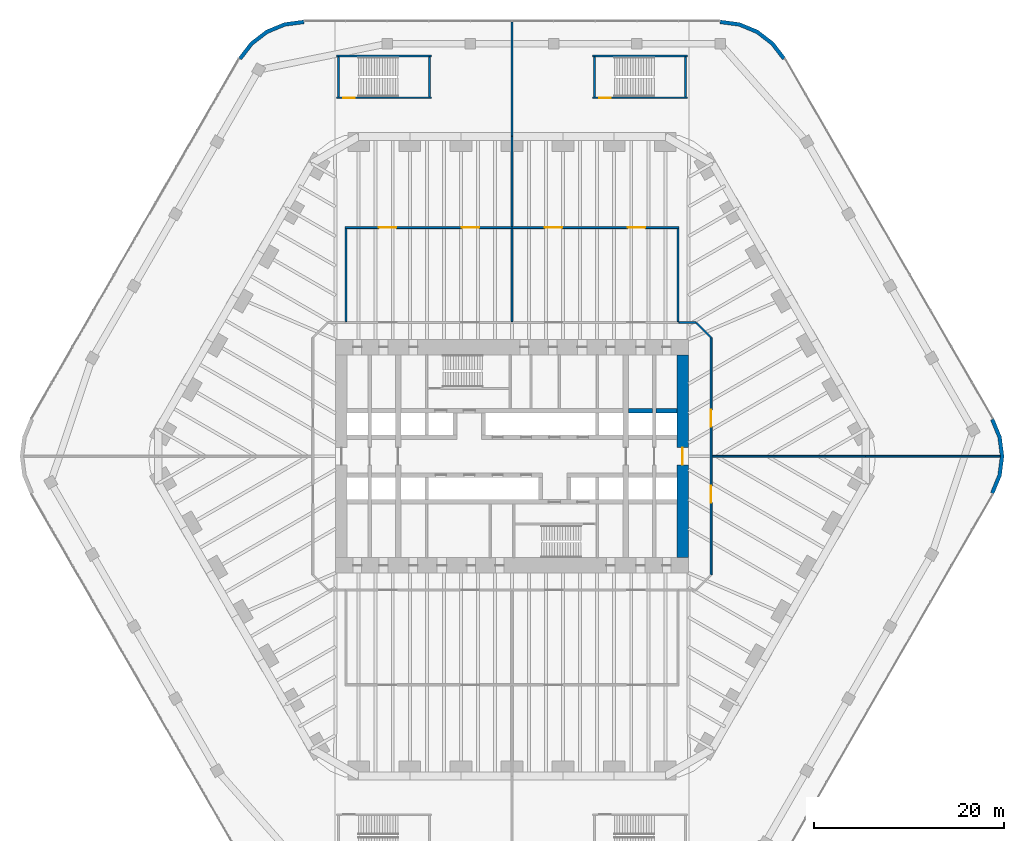
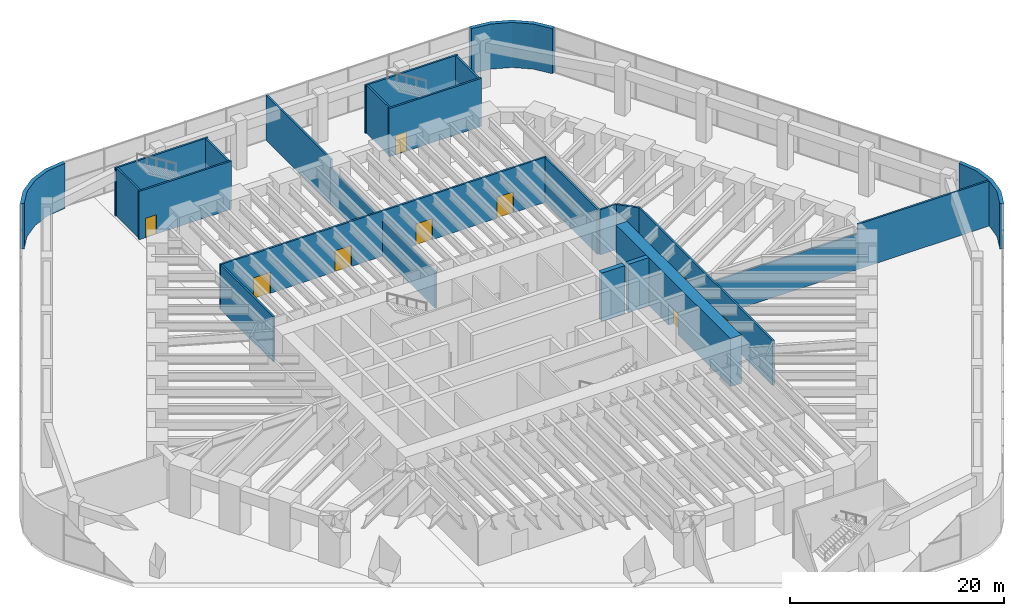
# One storey, part 29 of 31: 25 walls, 9 doors, 9 openings.
"""IFC4 building model written with IfcOpenShell, lengths in metres."""

import ifcopenshell
import ifcopenshell.guid

model = None  # the IFC model being written
_history = None  # IfcOwnerHistory: only IFC2X3 demands one
_inside = {}  # id of a spatial element -> (the spatial element, [elements in it])
_under = {}  # id of a project, library or spatial element -> (it, [spatial elements below it])
_declared = {}  # id of a project -> (the project, [libraries it declares])
_typed = {}  # id of a type object -> (the type object, [elements of that type])
_made_of = {}  # id of a material, layer set ... -> (it, [elements and type objects made of it])


def new_model(schema):
    """Start an empty IFC model of exactly this schema.

    Asked for "IFC4X3", IfcOpenShell would pick the latest addendum, in which some entities
    have other attributes; the version numbers below select the first issue.
    IFC2X3 requires an IfcOwnerHistory on every rooted entity: one is made here for all.
    """
    global model, _history
    if schema == "IFC4X3":
        model = ifcopenshell.file(schema_version=(4, 3, 0, 0))
    else:
        model = ifcopenshell.file(schema=schema)
    _inside.clear()
    _under.clear()
    _declared.clear()
    _typed.clear()
    _made_of.clear()
    _history = None
    if model.schema == "IFC2X3":
        org = make("IfcOrganization", Name="unknown")
        user = make(
            "IfcPersonAndOrganization",
            ThePerson=make("IfcPerson", FamilyName="unknown"),
            TheOrganization=org,
        )
        app = make(
            "IfcApplication",
            ApplicationDeveloper=org,
            Version="unknown",
            ApplicationFullName="unknown",
            ApplicationIdentifier="unknown",
        )
        _history = make(
            "IfcOwnerHistory",
            OwningUser=user,
            OwningApplication=app,
            ChangeAction="ADDED",
            CreationDate=0,
        )
    return model


def make(cls, **values):
    """One entity of the class cls with the attributes given. An attribute that is None is left unset."""
    return model.create_entity(
        cls, **{name: value for name, value in values.items() if value is not None}
    )


def rooted(cls, **values):
    """An entity with a GlobalId (a new one), such as an element, a storey or a relation."""
    return make(cls, GlobalId=ifcopenshell.guid.new(), OwnerHistory=_history, **values)


def si_unit(unit_type, name, prefix=None):
    """IfcSIUnit, for example si_unit("LENGTHUNIT", "METRE", prefix="MILLI")."""
    return make("IfcSIUnit", UnitType=unit_type, Prefix=prefix, Name=name)


def assignment(units):
    """IfcUnitAssignment: the units of a project."""
    return None if units is None else make("IfcUnitAssignment", Units=units)


def point(xyz):
    """IfcCartesianPoint."""
    return None if xyz is None else make("IfcCartesianPoint", Coordinates=xyz)


def direction(xyz):
    """IfcDirection."""
    return None if xyz is None else make("IfcDirection", DirectionRatios=xyz)


def frame(location, z_axis=None, x_axis=None):
    """IfcAxis2Placement3D, a coordinate frame: its origin and axes. An axis left out is left unset."""
    return make(
        "IfcAxis2Placement3D",
        Location=point(location),
        Axis=direction(z_axis),
        RefDirection=direction(x_axis),
    )


def frame_2d(location, x_axis=None):
    """IfcAxis2Placement2D, a coordinate frame in the plane: its origin and x axis."""
    return make(
        "IfcAxis2Placement2D", Location=point(location), RefDirection=direction(x_axis)
    )


def origin():
    """The frame at (0, 0, 0) with its axes left unset."""
    return frame((0.0, 0.0, 0.0))


def place(relative_to, where):
    """IfcLocalPlacement: puts the frame where relative to a parent placement (None: the world)."""
    return make(
        "IfcLocalPlacement", PlacementRelTo=relative_to, RelativePlacement=where
    )


def context(
    kind, dimensions, precision=None, world=None, true_north=None, identifier=None
):
    """IfcGeometricRepresentationContext, for example the 3D "Model" context."""
    return make(
        "IfcGeometricRepresentationContext",
        ContextIdentifier=identifier,
        ContextType=kind,
        CoordinateSpaceDimension=dimensions,
        Precision=precision,
        WorldCoordinateSystem=world,
        TrueNorth=true_north,
    )


def subcontext(parent, identifier, kind, view, scale=None):
    """IfcGeometricRepresentationSubContext, for example "Body" below "Model"."""
    return make(
        "IfcGeometricRepresentationSubContext",
        ContextIdentifier=identifier,
        ContextType=kind,
        ParentContext=parent,
        TargetScale=scale,
        TargetView=view,
    )


def project(units=None, contexts=None):
    """IfcProject with its units and contexts."""
    return rooted(
        "IfcProject",
        Name="project",
        RepresentationContexts=contexts,
        UnitsInContext=assignment(units),
    )


def spatial(cls, under=None, at=None, **own):
    """A site, building, storey or space (cls), placed at a placement, below another one or the project."""
    s = rooted(cls, ObjectPlacement=at, **own)
    if under is not None:
        _under.setdefault(under.id(), (under, []))[1].append(s)
    return s


def polyline(points):
    """IfcPolyline through the points."""
    return make("IfcPolyline", Points=[point(p) for p in points])


def profile(cls, at=None, kind="AREA", **sizes):
    """A parametric profile (cls). Its sizes go by their IFC names, for example OverallWidth=200.0."""
    return make(cls, ProfileType=kind, Position=at, **sizes)


def rectangle(**sizes):
    """IfcRectangleProfileDef."""
    return profile("IfcRectangleProfileDef", **sizes)


def outline(outer, holes=None, kind="AREA"):
    """IfcArbitraryClosedProfileDef: a profile drawn as a closed curve; with holes, ...WithVoids."""
    if holes is None:
        return make("IfcArbitraryClosedProfileDef", ProfileType=kind, OuterCurve=outer)
    return make(
        "IfcArbitraryProfileDefWithVoids",
        ProfileType=kind,
        OuterCurve=outer,
        InnerCurves=holes,
    )


def extrude(swept, where, along, depth):
    """IfcExtrudedAreaSolid: the profile swept, set in the frame where, extruded along a direction by depth."""
    return make(
        "IfcExtrudedAreaSolid",
        SweptArea=swept,
        Position=where,
        ExtrudedDirection=direction(along),
        Depth=depth,
    )


def shape(context_of_items, identifier, shape_type, items):
    """IfcShapeRepresentation: the items that make up one representation, for example the "Body"."""
    return make(
        "IfcShapeRepresentation",
        ContextOfItems=context_of_items,
        RepresentationIdentifier=identifier,
        RepresentationType=shape_type,
        Items=items,
    )


def material(Name=None, Category=None):
    """IfcMaterial."""
    return make("IfcMaterial", Name=Name, Category=Category)


def layer(
    of_material, thickness, ventilated=None, Name=None, Category=None, Priority=None
):
    """IfcMaterialLayer: one layer of a wall or slab, of a material (None: an air gap)."""
    return make(
        "IfcMaterialLayer",
        Material=of_material,
        LayerThickness=thickness,
        IsVentilated=ventilated,
        Name=Name,
        Category=Category,
        Priority=Priority,
    )


def layer_set(layers, Name=None):
    """IfcMaterialLayerSet."""
    return make("IfcMaterialLayerSet", MaterialLayers=layers, LayerSetName=Name)


def made_of(thing, what):
    """Note that an element or type object is made of a material, layer set ...; save() writes the relation."""
    if what is not None:
        _made_of.setdefault(what.id(), (what, []))[1].append(thing)
    return thing


def type_object(cls, material=None, **own):
    """A type object (cls), such as IfcWallType, which elements share."""
    return made_of(rooted(cls, **own), material)


def element(
    cls,
    number,
    at=None,
    inside=None,
    cuts=None,
    type_object=None,
    material=None,
    context=None,
    identifier="Body",
    shape_type=None,
    held_by="IfcProductDefinitionShape",
    body=None,
    shapes=None,
    **own,
):
    """One element of the class cls, such as IfcWall. Its Tag is "e" and its number.

    at: its placement. inside: the storey or other place that contains it. cuts: it is an
    opening in that element (IfcRelVoidsElement). A single representation is given by context,
    identifier, shape_type and body (its items); several are given by shapes. held_by: the class
    of the entity that holds the representations. save() writes the other relations.
    """
    e = rooted(cls, Tag="e%d" % number, ObjectPlacement=at, **own)
    if body is not None:
        shapes = [shape(context, identifier, shape_type, body)]
    if shapes is not None:
        e.Representation = make(held_by, Representations=shapes)
    if inside is not None:
        _inside.setdefault(inside.id(), (inside, []))[1].append(e)
    if cuts is not None:
        rooted(
            "IfcRelVoidsElement", RelatingBuildingElement=cuts, RelatedOpeningElement=e
        )
    if type_object is not None:
        _typed.setdefault(type_object.id(), (type_object, []))[1].append(e)
    return made_of(e, material)


def fill(opening, filler):
    """IfcRelFillsElement: the door or window that sits in an opening."""
    return rooted(
        "IfcRelFillsElement",
        RelatingOpeningElement=opening,
        RelatedBuildingElement=filler,
    )


def aggregate(whole, parts):
    """IfcRelAggregates: a whole, such as a stair, and the parts it consists of."""
    return rooted("IfcRelAggregates", RelatingObject=whole, RelatedObjects=parts)


def save(model, path):
    """Write the relations noted so far, then the file.

    IfcRelAggregates (storeys below a building ...), IfcRelContainedInSpatialStructure (elements
    in a storey), IfcRelDefinesByType, IfcRelAssociatesMaterial and IfcRelDeclares: one each for
    every whole, place, type object, material and project.
    """
    for whole, parts in _under.values():
        aggregate(whole, parts)
    for where, things in _inside.values():
        rooted(
            "IfcRelContainedInSpatialStructure",
            RelatedElements=things,
            RelatingStructure=where,
        )
    for kind, things in _typed.values():
        rooted("IfcRelDefinesByType", RelatedObjects=things, RelatingType=kind)
    for what, things in _made_of.values():
        rooted("IfcRelAssociatesMaterial", RelatedObjects=things, RelatingMaterial=what)
    for by, libraries in _declared.values():
        rooted("IfcRelDeclares", RelatingContext=by, RelatedDefinitions=libraries)
    model.write(path)


model = new_model("IFC4")

# Units and contexts
model_context = context("Model", 3, precision=1e-05, world=origin(), true_north=direction((0.0, 1.0)))
body_context = subcontext(model_context, "Body", "Model", "MODEL_VIEW")
ifc_project = project(units=[si_unit("LENGTHUNIT", "METRE"), si_unit("AREAUNIT", "SQUARE_METRE"), si_unit("VOLUMEUNIT", "CUBIC_METRE"), si_unit("PLANEANGLEUNIT", "RADIAN"), si_unit("MASSUNIT", "GRAM", prefix="KILO")], contexts=[model_context])

# Site, building, storey
site_placement = place(None, origin())
site = spatial("IfcSite", under=ifc_project, at=site_placement, CompositionType="ELEMENT")
building_placement = place(site_placement, origin())
building = spatial("IfcBuilding", under=site, at=building_placement, Name="Tarfa Lantern Tower", CompositionType="ELEMENT")
storey_placement = place(building_placement, frame((0.0, 0.0, 13.0)))
storey = spatial("IfcBuildingStorey", under=building, at=storey_placement, Name="L02", CompositionType="ELEMENT", Elevation=13.0)

# Walls
ifc_material_1 = material(Name="Limestone cladding on blockwork", Category="masonry")
ifc_layer_1 = layer(ifc_material_1, 0.39990234375)
ifc_layer_set_1 = layer_set([ifc_layer_1], Name="EW2 CURVED STONE CORNER 400")
wall_type_1 = type_object("IfcWallType", Name="EW2 CURVED STONE CORNER 400", PredefinedType="SOLIDWALL", material=ifc_layer_set_1)
wall_1_placement = place(storey_placement, origin())
element("IfcWall", 1, at=wall_1_placement, inside=storey, type_object=wall_type_1, Name="Stone corner NE-N", PredefinedType="SOLIDWALL", context=body_context, shape_type="SweptSolid", body=[
    extrude(outline(polyline([(28.867431640625, 42.0), (27.59619140625, 43.65673828125), (25.939208984375, 44.92822265625), (24.009765625, 45.727294921875), (21.939208984375, 46.0), (21.939208984375, 45.60009765625), (23.90625, 45.341064453125), (25.7392578125, 44.581787109375), (27.313232421875, 43.3740234375), (28.52099609375, 41.800048828125), (28.867431640625, 42.0)])), origin(), (0.0, 0.0, 1.0), 5.14990234375),
])
wall_2_placement = place(storey_placement, origin())
element("IfcWall", 2, at=wall_2_placement, inside=storey, type_object=wall_type_1, Name="Stone corner N-NW", PredefinedType="SOLIDWALL", context=body_context, shape_type="SweptSolid", body=[
    extrude(outline(polyline([(-21.939208984375, 46.0), (-24.009765625, 45.727294921875), (-25.939208984375, 44.92822265625), (-27.59619140625, 43.65673828125), (-28.867431640625, 42.0), (-28.52099609375, 41.800048828125), (-27.313232421875, 43.3740234375), (-25.7392578125, 44.581787109375), (-23.90625, 45.341064453125), (-21.939208984375, 45.60009765625), (-21.939208984375, 46.0)])), origin(), (0.0, 0.0, 1.0), 5.14990234375),
])
wall_3_placement = place(storey_placement, origin())
element("IfcWall", 3, at=wall_3_placement, inside=storey, type_object=wall_type_1, Name="Stone corner SE-NE", PredefinedType="SOLIDWALL", context=body_context, shape_type="SweptSolid", body=[
    extrude(outline(polyline([(50.806884765625, -4.0), (51.60595703125, -2.070556640625), (51.878662109375, 0.0), (51.60595703125, 2.070556640625), (50.806884765625, 4.0), (50.46044921875, 3.800048828125), (51.2197265625, 1.967041015625), (51.478515625, 0.0), (51.2197265625, -1.967041015625), (50.46044921875, -3.800048828125), (50.806884765625, -4.0)])), origin(), (0.0, 0.0, 1.0), 5.14990234375),
])
ifc_material_2 = material(Name="Gypsum board on steel studs", Category="steel")
ifc_layer_2 = layer(ifc_material_2, 0.2099609375)
ifc_layer_set_2 = layer_set([ifc_layer_2], Name="IW2 ACOUSTIC PARTITION 200")
wall_type_2 = type_object("IfcWallType", Name="IW2 ACOUSTIC PARTITION 200", PredefinedType="PARTITIONING", material=ifc_layer_set_2)
wall_4_placement = place(storey_placement, frame((-17.5, 14.199951171875, 0.0), z_axis=(0.0, 0.0, 1.0), x_axis=(0.0, 1.0, 0.0)))
element("IfcWall", 4, at=wall_4_placement, inside=storey, type_object=wall_type_2, Name="Partition", PredefinedType="PARTITIONING", context=body_context, shape_type="SweptSolid", body=[
    extrude(rectangle(XDim=9.800048828125, YDim=0.199951171875, at=frame_2d((4.89990234375, 0.0))), origin(), (0.0, 0.0, 1.0), 5.14990234375),
])
wall_5_placement = place(storey_placement, frame((0.0, 14.199951171875, 0.0), z_axis=(0.0, 0.0, 1.0), x_axis=(0.0, 1.0, 0.0)))
element("IfcWall", 5, at=wall_5_placement, inside=storey, type_object=wall_type_2, Name="Partition", PredefinedType="PARTITIONING", context=body_context, shape_type="SweptSolid", body=[
    extrude(rectangle(XDim=9.800048828125, YDim=0.199951171875, at=frame_2d((4.89990234375, 0.0))), origin(), (0.0, 0.0, 1.0), 4.093994140625),
])
wall_6_placement = place(storey_placement, frame((17.5, 14.199951171875, 0.0), z_axis=(0.0, 0.0, 1.0), x_axis=(0.0, 1.0, 0.0)))
element("IfcWall", 6, at=wall_6_placement, inside=storey, type_object=wall_type_2, Name="Partition", PredefinedType="PARTITIONING", context=body_context, shape_type="SweptSolid", body=[
    extrude(rectangle(XDim=9.800048828125, YDim=0.199951171875, at=frame_2d((4.89990234375, 0.0))), origin(), (0.0, 0.0, 1.0), 5.14990234375),
])

# Wall, openings, doors
wall_7_placement = place(storey_placement, frame((-17.60009765625, 24.10009765625, 0.0), z_axis=(0.0, 0.0, 1.0), x_axis=(1.0, 0.0, 0.0)))
wall_7 = element("IfcWall", 7, at=wall_7_placement, inside=storey, type_object=wall_type_2, Name="Partition", PredefinedType="PARTITIONING", context=body_context, shape_type="SweptSolid", body=[
    extrude(rectangle(XDim=35.2001953125, YDim=0.199951171875, at=frame_2d((17.60009765625, 0.0))), origin(), (0.0, 0.0, 1.0), 5.14990234375),
])
opening_1_placement = place(wall_7_placement, frame((3.574951171875, 0.0, 0.0)))
opening_1 = element("IfcOpeningElement", 8, at=opening_1_placement, cuts=wall_7, Name="Opening D41", PredefinedType="OPENING", context=body_context, shape_type="SweptSolid", body=[
    extrude(rectangle(XDim=1.800048828125, YDim=2.39990234375, at=frame_2d((0.89990234375, 1.199951171875))), frame((0.0, 0.10986328125, 0.0), z_axis=(0.0, -1.0, 0.0), x_axis=(1.0, 0.0, 0.0)), (0.0, 0.0, 1.0), 0.219970703125),
])
opening_2_placement = place(wall_7_placement, frame((12.324951171875, 0.0, 0.0)))
opening_2 = element("IfcOpeningElement", 9, at=opening_2_placement, cuts=wall_7, Name="Opening D42", PredefinedType="OPENING", context=body_context, shape_type="SweptSolid", body=[
    extrude(rectangle(XDim=1.800048828125, YDim=2.39990234375, at=frame_2d((0.89990234375, 1.199951171875))), frame((0.0, 0.10986328125, 0.0), z_axis=(0.0, -1.0, 0.0), x_axis=(1.0, 0.0, 0.0)), (0.0, 0.0, 1.0), 0.219970703125),
])
opening_3_placement = place(wall_7_placement, frame((21.074951171875, 0.0, 0.0)))
opening_3 = element("IfcOpeningElement", 10, at=opening_3_placement, cuts=wall_7, Name="Opening D43", PredefinedType="OPENING", context=body_context, shape_type="SweptSolid", body=[
    extrude(rectangle(XDim=1.800048828125, YDim=2.39990234375, at=frame_2d((0.89990234375, 1.199951171875))), frame((0.0, 0.10986328125, 0.0), z_axis=(0.0, -1.0, 0.0), x_axis=(1.0, 0.0, 0.0)), (0.0, 0.0, 1.0), 0.219970703125),
])
opening_4_placement = place(wall_7_placement, frame((29.824951171875, 0.0, 0.0)))
opening_4 = element("IfcOpeningElement", 11, at=opening_4_placement, cuts=wall_7, Name="Opening D44", PredefinedType="OPENING", context=body_context, shape_type="SweptSolid", body=[
    extrude(rectangle(XDim=1.800048828125, YDim=2.39990234375, at=frame_2d((0.89990234375, 1.199951171875))), frame((0.0, 0.10986328125, 0.0), z_axis=(0.0, -1.0, 0.0), x_axis=(1.0, 0.0, 0.0)), (0.0, 0.0, 1.0), 0.219970703125),
])
ifc_material_3 = material(Name="Timber door", Category="wood")
door_type_1 = type_object("IfcDoorType", Name="DR2 ROOM DOOR 1800x2400", OperationType="DOUBLE_DOOR_SINGLE_SWING", PredefinedType="DOOR", material=ifc_material_3)
door_1_placement = place(opening_1_placement, frame((1.800048828125, 0.0, 0.0), z_axis=(0.0, 0.0, 1.0), x_axis=(-1.0, 0.0, 0.0)))
door_1 = element("IfcDoor", 12, at=door_1_placement, inside=storey, type_object=door_type_1, Name="Conference room door", OperationType="DOUBLE_DOOR_SINGLE_SWING", OverallHeight=2.39990234375, OverallWidth=1.800048828125, PredefinedType="DOOR", context=body_context, shape_type="SweptSolid", body=[
    extrude(rectangle(XDim=1.800048828125, YDim=2.39990234375, at=frame_2d((0.89990234375, 1.199951171875))), frame((0.0, 0.02490234375, 0.0), z_axis=(0.0, -1.0, 0.0), x_axis=(1.0, 0.0, 0.0)), (0.0, 0.0, 1.0), 0.050048828125),
])
fill(opening_1, door_1)
door_2_placement = place(opening_2_placement, frame((1.800048828125, 0.0, 0.0), z_axis=(0.0, 0.0, 1.0), x_axis=(-1.0, 0.0, 0.0)))
door_2 = element("IfcDoor", 13, at=door_2_placement, inside=storey, type_object=door_type_1, Name="Conference room door", OperationType="DOUBLE_DOOR_SINGLE_SWING", OverallHeight=2.39990234375, OverallWidth=1.800048828125, PredefinedType="DOOR", context=body_context, shape_type="SweptSolid", body=[
    extrude(rectangle(XDim=1.800048828125, YDim=2.39990234375, at=frame_2d((0.89990234375, 1.199951171875))), frame((0.0, 0.02490234375, 0.0), z_axis=(0.0, -1.0, 0.0), x_axis=(1.0, 0.0, 0.0)), (0.0, 0.0, 1.0), 0.050048828125),
])
fill(opening_2, door_2)
door_3_placement = place(opening_3_placement, frame((1.800048828125, 0.0, 0.0), z_axis=(0.0, 0.0, 1.0), x_axis=(-1.0, 0.0, 0.0)))
door_3 = element("IfcDoor", 14, at=door_3_placement, inside=storey, type_object=door_type_1, Name="Conference room door", OperationType="DOUBLE_DOOR_SINGLE_SWING", OverallHeight=2.39990234375, OverallWidth=1.800048828125, PredefinedType="DOOR", context=body_context, shape_type="SweptSolid", body=[
    extrude(rectangle(XDim=1.800048828125, YDim=2.39990234375, at=frame_2d((0.89990234375, 1.199951171875))), frame((0.0, 0.02490234375, 0.0), z_axis=(0.0, -1.0, 0.0), x_axis=(1.0, 0.0, 0.0)), (0.0, 0.0, 1.0), 0.050048828125),
])
fill(opening_3, door_3)
door_4_placement = place(opening_4_placement, frame((1.800048828125, 0.0, 0.0), z_axis=(0.0, 0.0, 1.0), x_axis=(-1.0, 0.0, 0.0)))
door_4 = element("IfcDoor", 15, at=door_4_placement, inside=storey, type_object=door_type_1, Name="Conference room door", OperationType="DOUBLE_DOOR_SINGLE_SWING", OverallHeight=2.39990234375, OverallWidth=1.800048828125, PredefinedType="DOOR", context=body_context, shape_type="SweptSolid", body=[
    extrude(rectangle(XDim=1.800048828125, YDim=2.39990234375, at=frame_2d((0.89990234375, 1.199951171875))), frame((0.0, 0.02490234375, 0.0), z_axis=(0.0, -1.0, 0.0), x_axis=(1.0, 0.0, 0.0)), (0.0, 0.0, 1.0), 0.050048828125),
])
fill(opening_4, door_4)

# Walls
wall_8_placement = place(storey_placement, frame((17.60009765625, 14.10009765625, 0.0), z_axis=(0.0, 0.0, 1.0), x_axis=(1.0, 0.0, 0.0)))
element("IfcWall", 16, at=wall_8_placement, inside=storey, type_object=wall_type_2, Name="Partition", PredefinedType="PARTITIONING", context=body_context, shape_type="SweptSolid", body=[
    extrude(rectangle(XDim=1.7998046875, YDim=0.199951171875, at=frame_2d((0.89990234375, 0.0))), origin(), (0.0, 0.0, 1.0), 5.14990234375),
])
wall_9_placement = place(storey_placement, frame((19.39990234375, 14.10009765625, 0.0), z_axis=(0.0, 0.0, 1.0), x_axis=(0.707106781187, -0.707106781187, 0.0)))
element("IfcWall", 17, at=wall_9_placement, inside=storey, type_object=wall_type_2, Name="Partition", PredefinedType="PARTITIONING", context=body_context, shape_type="SweptSolid", body=[
    extrude(rectangle(XDim=2.262939453125, YDim=0.199951171875, at=frame_2d((1.13134765625, 0.0))), origin(), (0.0, 0.0, 1.0), 5.14990234375),
])

# Wall, openings, doors
wall_10_placement = place(storey_placement, frame((21.0, 12.5, 0.0), z_axis=(0.0, 0.0, 1.0), x_axis=(0.0, -1.0, 0.0)))
wall_10 = element("IfcWall", 18, at=wall_10_placement, inside=storey, type_object=wall_type_2, Name="Partition", PredefinedType="PARTITIONING", context=body_context, shape_type="SweptSolid", body=[
    extrude(rectangle(XDim=25.0, YDim=0.199951171875, at=frame_2d((12.5, 0.0))), origin(), (0.0, 0.0, 1.0), 5.14990234375),
])
opening_5_placement = place(wall_10_placement, frame((7.60009765625, 0.0, 0.0)))
opening_5 = element("IfcOpeningElement", 19, at=opening_5_placement, cuts=wall_10, Name="Opening D49", PredefinedType="OPENING", context=body_context, shape_type="SweptSolid", body=[
    extrude(rectangle(XDim=1.800048828125, YDim=2.39990234375, at=frame_2d((0.89990234375, 1.199951171875))), frame((0.0, 0.10986328125, 0.0), z_axis=(0.0, -1.0, 0.0), x_axis=(1.0, 0.0, 0.0)), (0.0, 0.0, 1.0), 0.219970703125),
])
opening_6_placement = place(wall_10_placement, frame((15.60009765625, 0.0, 0.0)))
opening_6 = element("IfcOpeningElement", 20, at=opening_6_placement, cuts=wall_10, Name="Opening D51", PredefinedType="OPENING", context=body_context, shape_type="SweptSolid", body=[
    extrude(rectangle(XDim=1.800048828125, YDim=2.39990234375, at=frame_2d((0.89990234375, 1.199951171875))), frame((0.0, 0.10986328125, 0.0), z_axis=(0.0, -1.0, 0.0), x_axis=(1.0, 0.0, 0.0)), (0.0, 0.0, 1.0), 0.219970703125),
])
door_5_placement = place(opening_5_placement, origin())
door_5 = element("IfcDoor", 21, at=door_5_placement, inside=storey, type_object=door_type_1, Name="Learning and development workplace door", OperationType="DOUBLE_DOOR_SINGLE_SWING", OverallHeight=2.39990234375, OverallWidth=1.800048828125, PredefinedType="DOOR", context=body_context, shape_type="SweptSolid", body=[
    extrude(rectangle(XDim=1.800048828125, YDim=2.39990234375, at=frame_2d((0.89990234375, 1.199951171875))), frame((0.0, 0.02490234375, 0.0), z_axis=(0.0, -1.0, 0.0), x_axis=(1.0, 0.0, 0.0)), (0.0, 0.0, 1.0), 0.050048828125),
])
fill(opening_5, door_5)
door_6_placement = place(opening_6_placement, origin())
door_6 = element("IfcDoor", 22, at=door_6_placement, inside=storey, type_object=door_type_1, Name="Learning and development workplace door", OperationType="DOUBLE_DOOR_SINGLE_SWING", OverallHeight=2.39990234375, OverallWidth=1.800048828125, PredefinedType="DOOR", context=body_context, shape_type="SweptSolid", body=[
    extrude(rectangle(XDim=1.800048828125, YDim=2.39990234375, at=frame_2d((0.89990234375, 1.199951171875))), frame((0.0, 0.02490234375, 0.0), z_axis=(0.0, -1.0, 0.0), x_axis=(1.0, 0.0, 0.0)), (0.0, 0.0, 1.0), 0.050048828125),
])
fill(opening_6, door_6)

# Walls
wall_11_placement = place(storey_placement, frame((0.0, 24.199951171875, 0.0), z_axis=(0.0, 0.0, 1.0), x_axis=(0.0, 1.0, 0.0)))
element("IfcWall", 23, at=wall_11_placement, inside=storey, type_object=wall_type_2, Name="Partition", PredefinedType="PARTITIONING", context=body_context, shape_type="SweptSolid", body=[
    extrude(rectangle(XDim=9.52001953125, YDim=0.199951171875, at=frame_2d((4.760009765625, 0.0))), origin(), (0.0, 0.0, 1.0), 4.093994140625),
])
wall_12_placement = place(storey_placement, frame((0.0, 33.719970703125, 0.0), z_axis=(0.0, 0.0, 1.0), x_axis=(0.0, 1.0, 0.0)))
element("IfcWall", 24, at=wall_12_placement, inside=storey, type_object=wall_type_2, Name="Partition", PredefinedType="PARTITIONING", context=body_context, shape_type="SweptSolid", body=[
    extrude(rectangle(XDim=12.090087890625, YDim=0.199951171875, at=frame_2d((6.044921875, 0.0))), origin(), (0.0, 0.0, 1.0), 5.14990234375),
])
wall_13_placement = place(storey_placement, frame((21.10009765625, 0.0, 0.0), z_axis=(0.0, 0.0, 1.0), x_axis=(1.0, 0.0, 0.0)))
element("IfcWall", 25, at=wall_13_placement, inside=storey, type_object=wall_type_2, Name="Partition", PredefinedType="PARTITIONING", context=body_context, shape_type="SweptSolid", body=[
    extrude(rectangle(XDim=16.185302734375, YDim=0.199951171875, at=frame_2d((8.0927734375, 0.0))), origin(), (0.0, 0.0, 1.0), 4.093994140625),
])
wall_14_placement = place(storey_placement, frame((37.285400390625, 0.0, 0.0), z_axis=(0.0, 0.0, 1.0), x_axis=(1.0, 0.0, 0.0)))
element("IfcWall", 26, at=wall_14_placement, inside=storey, type_object=wall_type_2, Name="Partition", PredefinedType="PARTITIONING", context=body_context, shape_type="SweptSolid", body=[
    extrude(rectangle(XDim=14.18017578125, YDim=0.199951171875, at=frame_2d((7.090087890625, 0.0))), origin(), (0.0, 0.0, 1.0), 5.14990234375),
])

# Wall, opening, door
ifc_material_4 = material(Name="Concrete C80/95", Category="concrete")
ifc_layer_3 = layer(ifc_material_4, 1.199951171875)
ifc_layer_set_3 = layer_set([ifc_layer_3], Name="SW1 CORE WALL 1200")
wall_type_3 = type_object("IfcWallType", Name="SW1 CORE WALL 1200", PredefinedType="SHEAR", material=ifc_layer_set_3)
wall_15_placement = place(storey_placement, frame((18.0, -10.699951171875, 0.0), z_axis=(0.0, 0.0, 1.0), x_axis=(0.0, 1.0, 0.0)))
wall_15 = element("IfcWall", 27, at=wall_15_placement, inside=storey, type_object=wall_type_3, Name="Core wall E", PredefinedType="SHEAR", context=body_context, shape_type="SweptSolid", body=[
    extrude(rectangle(XDim=21.39990234375, YDim=1.199951171875, at=frame_2d((10.699951171875, 0.0))), origin(), (0.0, 0.0, 1.0), 5.5),
])
opening_7_placement = place(wall_15_placement, frame((9.800048828125, 0.0, 0.0)))
opening_7 = element("IfcOpeningElement", 28, at=opening_7_placement, cuts=wall_15, Name="Opening D15", PredefinedType="OPENING", context=body_context, shape_type="SweptSolid", body=[
    extrude(rectangle(XDim=1.800048828125, YDim=2.39990234375, at=frame_2d((0.89990234375, 1.199951171875))), frame((0.0, 0.60986328125, 0.0), z_axis=(0.0, -1.0, 0.0), x_axis=(1.0, 0.0, 0.0)), (0.0, 0.0, 1.0), 1.219970703125),
])
ifc_material_5 = material(Name="Steel fire door", Category="steel")
door_type_2 = type_object("IfcDoorType", Name="DL1 LOBBY DOOR 1800x2400", OperationType="DOUBLE_DOOR_SINGLE_SWING", PredefinedType="DOOR", material=ifc_material_5)
door_7_placement = place(opening_7_placement, frame((1.800048828125, 0.0, 0.0), z_axis=(0.0, 0.0, 1.0), x_axis=(-1.0, 0.0, 0.0)))
door_7 = element("IfcDoor", 29, at=door_7_placement, inside=storey, type_object=door_type_2, Name="Lift lobby door", OperationType="DOUBLE_DOOR_SINGLE_SWING", OverallHeight=2.39990234375, OverallWidth=1.800048828125, PredefinedType="DOOR", context=body_context, shape_type="SweptSolid", body=[
    extrude(rectangle(XDim=1.800048828125, YDim=2.39990234375, at=frame_2d((0.89990234375, 1.199951171875))), frame((0.0, 0.02490234375, 0.0), z_axis=(0.0, -1.0, 0.0), x_axis=(1.0, 0.0, 0.0)), (0.0, 0.0, 1.0), 0.050048828125),
])
fill(opening_7, door_7)

ifc_layer_4 = layer(ifc_material_4, 0.199951171875)
ifc_layer_set_4 = layer_set([ifc_layer_4], Name="SW12 CORE WALL 200")
wall_type_4 = type_object("IfcWallType", Name="SW12 CORE WALL 200", PredefinedType="SHEAR", material=ifc_layer_set_4)
wall_16_placement = place(storey_placement, frame((8.5, 37.800048828125, 0.0), z_axis=(0.0, 0.0, 1.0), x_axis=(1.0, 0.0, 0.0)))
wall_16 = element("IfcWall", 30, at=wall_16_placement, inside=storey, type_object=wall_type_4, Name="Stair ST3 shaft wall", PredefinedType="SHEAR", context=body_context, shape_type="SweptSolid", body=[
    extrude(rectangle(XDim=10.0, YDim=0.199951171875, at=frame_2d((5.0, 0.0))), origin(), (0.0, 0.0, 1.0), 5.5),
])
opening_8_placement = place(wall_16_placement, frame((0.699951171875, 0.0, 0.0)))
opening_8 = element("IfcOpeningElement", 31, at=opening_8_placement, cuts=wall_16, Name="Opening D29", PredefinedType="OPENING", context=body_context, shape_type="SweptSolid", body=[
    extrude(rectangle(XDim=1.199951171875, YDim=2.199951171875, at=frame_2d((0.60009765625, 1.10009765625))), frame((0.0, 0.10986328125, 0.0), z_axis=(0.0, -1.0, 0.0), x_axis=(1.0, 0.0, 0.0)), (0.0, 0.0, 1.0), 0.219970703125),
])
door_type_3 = type_object("IfcDoorType", Name="DF9 STAIR DOOR 1200x2200", OperationType="SINGLE_SWING_LEFT", PredefinedType="DOOR", material=ifc_material_5)
door_8_placement = place(opening_8_placement, frame((1.199951171875, 0.0, 0.0), z_axis=(0.0, 0.0, 1.0), x_axis=(-1.0, 0.0, 0.0)))
door_8 = element("IfcDoor", 32, at=door_8_placement, inside=storey, type_object=door_type_3, Name="Stair door", OperationType="SINGLE_SWING_LEFT", OverallHeight=2.199951171875, OverallWidth=1.199951171875, PredefinedType="DOOR", context=body_context, shape_type="SweptSolid", body=[
    extrude(rectangle(XDim=1.199951171875, YDim=2.199951171875, at=frame_2d((0.60009765625, 1.10009765625))), frame((0.0, 0.02490234375, 0.0), z_axis=(0.0, -1.0, 0.0), x_axis=(1.0, 0.0, 0.0)), (0.0, 0.0, 1.0), 0.050048828125),
])
fill(opening_8, door_8)

# Walls
wall_17_placement = place(storey_placement, frame((18.5, 42.199951171875, 0.0), z_axis=(0.0, 0.0, 1.0), x_axis=(-1.0, 0.0, 0.0)))
element("IfcWall", 33, at=wall_17_placement, inside=storey, type_object=wall_type_4, Name="Stair ST3 shaft wall", PredefinedType="SHEAR", context=body_context, shape_type="SweptSolid", body=[
    extrude(rectangle(XDim=10.0, YDim=0.199951171875, at=frame_2d((5.0, 0.0))), origin(), (0.0, 0.0, 1.0), 5.5),
])
for number, where, z_axis, x_axis, name in (
    (34, (8.699951171875, 42.10009765625, 0.0), (0.0, 0.0, 1.0), (0.0, -1.0, 0.0), "Stair ST3 shaft wall"),
    (35, (18.300048828125, 37.89990234375, 0.0), (0.0, 0.0, 1.0), (0.0, 1.0, 0.0), "Stair ST3 shaft wall"),
):
    element("IfcWall", number, at=place(storey_placement, frame(where, z_axis=z_axis, x_axis=x_axis)), inside=storey, type_object=wall_type_4, Name=name, PredefinedType="SHEAR", context=body_context, shape_type="SweptSolid", body=[
        extrude(rectangle(XDim=4.2001953125, YDim=0.199951171875, at=frame_2d((2.10009765625, 0.0))), origin(), (0.0, 0.0, 1.0), 5.5),
    ])

# Wall, opening, door
wall_18_placement = place(storey_placement, frame((-18.5, 37.800048828125, 0.0), z_axis=(0.0, 0.0, 1.0), x_axis=(1.0, 0.0, 0.0)))
wall_18 = element("IfcWall", 36, at=wall_18_placement, inside=storey, type_object=wall_type_4, Name="Stair ST4 shaft wall", PredefinedType="SHEAR", context=body_context, shape_type="SweptSolid", body=[
    extrude(rectangle(XDim=10.0, YDim=0.199951171875, at=frame_2d((5.0, 0.0))), origin(), (0.0, 0.0, 1.0), 5.5),
])
opening_9_placement = place(wall_18_placement, frame((0.699951171875, 0.0, 0.0)))
opening_9 = element("IfcOpeningElement", 37, at=opening_9_placement, cuts=wall_18, Name="Opening D30", PredefinedType="OPENING", context=body_context, shape_type="SweptSolid", body=[
    extrude(rectangle(XDim=1.199951171875, YDim=2.199951171875, at=frame_2d((0.60009765625, 1.10009765625))), frame((0.0, 0.10986328125, 0.0), z_axis=(0.0, -1.0, 0.0), x_axis=(1.0, 0.0, 0.0)), (0.0, 0.0, 1.0), 0.219970703125),
])
door_9_placement = place(opening_9_placement, frame((1.199951171875, 0.0, 0.0), z_axis=(0.0, 0.0, 1.0), x_axis=(-1.0, 0.0, 0.0)))
door_9 = element("IfcDoor", 38, at=door_9_placement, inside=storey, type_object=door_type_3, Name="Stair door", OperationType="SINGLE_SWING_LEFT", OverallHeight=2.199951171875, OverallWidth=1.199951171875, PredefinedType="DOOR", context=body_context, shape_type="SweptSolid", body=[
    extrude(rectangle(XDim=1.199951171875, YDim=2.199951171875, at=frame_2d((0.60009765625, 1.10009765625))), frame((0.0, 0.02490234375, 0.0), z_axis=(0.0, -1.0, 0.0), x_axis=(1.0, 0.0, 0.0)), (0.0, 0.0, 1.0), 0.050048828125),
])
fill(opening_9, door_9)

# Walls
wall_19_placement = place(storey_placement, frame((-8.5, 42.199951171875, 0.0), z_axis=(0.0, 0.0, 1.0), x_axis=(-1.0, 0.0, 0.0)))
element("IfcWall", 39, at=wall_19_placement, inside=storey, type_object=wall_type_4, Name="Stair ST4 shaft wall", PredefinedType="SHEAR", context=body_context, shape_type="SweptSolid", body=[
    extrude(rectangle(XDim=10.0, YDim=0.199951171875, at=frame_2d((5.0, 0.0))), origin(), (0.0, 0.0, 1.0), 5.5),
])
for number, where, z_axis, x_axis, name in (
    (40, (-18.300048828125, 42.10009765625, 0.0), (0.0, 0.0, 1.0), (0.0, -1.0, 0.0), "Stair ST4 shaft wall"),
    (41, (-8.699951171875, 37.89990234375, 0.0), (0.0, 0.0, 1.0), (0.0, 1.0, 0.0), "Stair ST4 shaft wall"),
):
    element("IfcWall", number, at=place(storey_placement, frame(where, z_axis=z_axis, x_axis=x_axis)), inside=storey, type_object=wall_type_4, Name=name, PredefinedType="SHEAR", context=body_context, shape_type="SweptSolid", body=[
        extrude(rectangle(XDim=4.2001953125, YDim=0.199951171875, at=frame_2d((2.10009765625, 0.0))), origin(), (0.0, 0.0, 1.0), 5.5),
    ])
ifc_layer_5 = layer(ifc_material_4, 0.5)
ifc_layer_set_5 = layer_set([ifc_layer_5], Name="SW5 CORE WALL 500")
wall_type_5 = type_object("IfcWallType", Name="SW5 CORE WALL 500", PredefinedType="SHEAR", material=ifc_layer_set_5)
wall_20_placement = place(storey_placement, frame((12.300048828125, 4.800048828125, 0.0), z_axis=(0.0, 0.0, 1.0), x_axis=(1.0, 0.0, 0.0)))
element("IfcWall", 42, at=wall_20_placement, inside=storey, type_object=wall_type_5, Name="Core wall rear N", PredefinedType="SHEAR", context=body_context, shape_type="SweptSolid", body=[
    extrude(rectangle(XDim=2.5, YDim=0.5, at=frame_2d((1.25, 0.0))), origin(), (0.0, 0.0, 1.0), 5.5),
])
wall_21_placement = place(storey_placement, frame((15.199951171875, 4.800048828125, 0.0), z_axis=(0.0, 0.0, 1.0), x_axis=(1.0, 0.0, 0.0)))
element("IfcWall", 43, at=wall_21_placement, inside=storey, type_object=wall_type_5, Name="Core wall rear N", PredefinedType="SHEAR", context=body_context, shape_type="SweptSolid", body=[
    extrude(rectangle(XDim=2.199951171875, YDim=0.5, at=frame_2d((1.10009765625, 0.0))), origin(), (0.0, 0.0, 1.0), 5.5),
])

save(model, "model.ifc")
